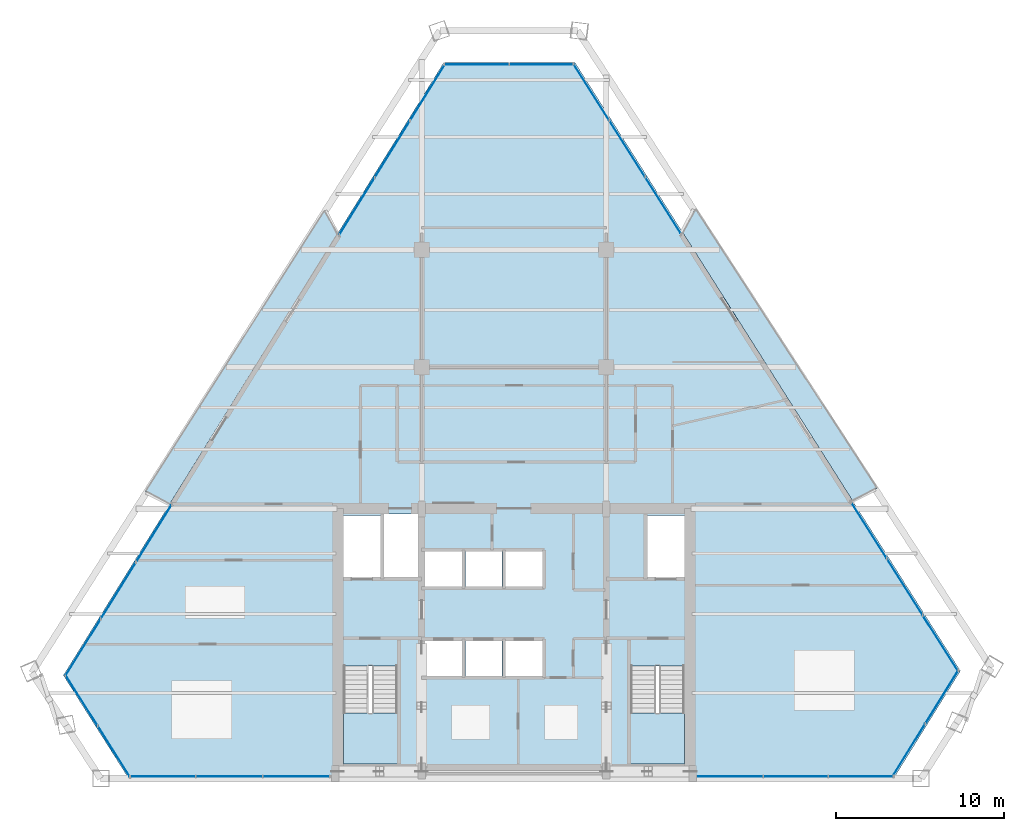
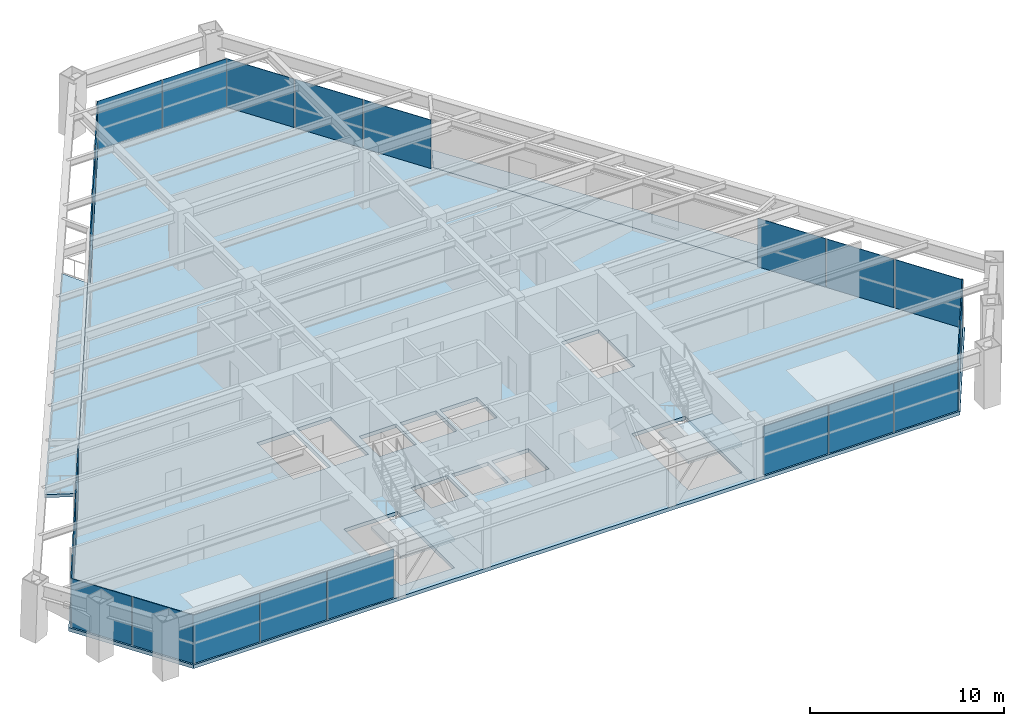
# One storey, part 10 of 15: 24 plates, 5 slabs, 11 elements without a shape of their own.
"""IFC4 building model written with IfcOpenShell, lengths in metres."""

from ifc_helpers import new_model, si_unit, direction, frame, origin, origin_2d, place, context, subcontext, project, spatial, polyline, rectangle, outline, extrude, source, transform, mapped, material, layer, layer_set, type_object, element, aggregate, save


model = new_model("IFC4")

# Units and contexts
model_context = context("Model", 3, precision=1e-05, world=origin(), true_north=direction((0.0, 1.0)))
body_context = subcontext(model_context, "Body", "Model", "MODEL_VIEW")
ifc_project = project(units=[si_unit("LENGTHUNIT", "METRE"), si_unit("AREAUNIT", "SQUARE_METRE"), si_unit("VOLUMEUNIT", "CUBIC_METRE"), si_unit("PLANEANGLEUNIT", "RADIAN"), si_unit("MASSUNIT", "GRAM", prefix="KILO")], contexts=[model_context])

# Site, building, storey
site_placement = place(None, origin())
site = spatial("IfcSite", under=ifc_project, at=site_placement, CompositionType="ELEMENT")
building_placement = place(site_placement, origin())
building = spatial("IfcBuilding", under=site, at=building_placement, Name="Varnakhor Terracotta Tower", CompositionType="ELEMENT")
storey_placement = place(building_placement, frame((0.0, 0.0, 185.800048828125)))
storey = spatial("IfcBuildingStorey", under=building, at=storey_placement, Name="L47", CompositionType="ELEMENT", Elevation=185.800048828125)

# Stair, slab
ifc_material_1 = material(Name="Concrete C40/50", Category="concrete")
stair_type = type_object("IfcStairType", Name="STR-CORE-OFFICE-1500", PredefinedType="HALF_TURN_STAIR", material=ifc_material_1)
stair_1_placement = place(storey_placement, origin())
stair_1 = element("IfcStair", 1, at=stair_1_placement, inside=storey, type_object=stair_type, Name="L47 Core Exit Stair ST-1", PredefinedType="HALF_TURN_STAIR")
ifc_layer_1 = layer(ifc_material_1, 0.179931640625, Name="Concrete C40/50")
ifc_layer_set_1 = layer_set([ifc_layer_1], Name="Concrete C40/50")
slab_type_1 = type_object("IfcSlabType", Name="SLB-LANDING-180", PredefinedType="LANDING", material=ifc_layer_set_1)
slab_1_placement = place(storey_placement, frame((0.0, 0.0, 1.64990234375)))
slab_1 = element("IfcSlab", 2, at=slab_1_placement, type_object=slab_type_1, Name="ST-1 landing 1", PredefinedType="LANDING", context=body_context, shape_type="SweptSolid", body=[
    extrude(outline(polyline([(-10.14990234375, 3.909912109375), (-10.14990234375, 0.85009765625), (-6.949951171875, 0.85009765625), (-6.949951171875, 3.909912109375), (-10.14990234375, 3.909912109375)])), origin(), (0.0, 0.0, 1.0), 0.199951171875),
])
aggregate(stair_1, [slab_1])

stair_2_placement = place(storey_placement, origin())
stair_2 = element("IfcStair", 3, at=stair_2_placement, inside=storey, type_object=stair_type, Name="L47 Core Exit Stair ST-2", PredefinedType="HALF_TURN_STAIR")
slab_2_placement = place(storey_placement, frame((0.0, 0.0, 1.64990234375)))
slab_2 = element("IfcSlab", 4, at=slab_2_placement, type_object=slab_type_1, Name="ST-2 landing 1", PredefinedType="LANDING", context=body_context, shape_type="SweptSolid", body=[
    extrude(outline(polyline([(6.949951171875, 3.909912109375), (6.949951171875, 0.85009765625), (10.14990234375, 0.85009765625), (10.14990234375, 3.909912109375), (6.949951171875, 3.909912109375)])), origin(), (0.0, 0.0, 1.0), 0.199951171875),
])
aggregate(stair_2, [slab_2])

# Slabs
ifc_layer_2 = layer(ifc_material_1, 0.195068359375, Name="Concrete C40/50")
ifc_layer_set_2 = layer_set([ifc_layer_2], Name="Concrete C40/50")
slab_type_2 = type_object("IfcSlabType", Name="SLB-LOGGIA-EXT-195", PredefinedType="FLOOR", material=ifc_layer_set_2)
slab_3_placement = place(storey_placement, frame((0.0, 0.0, -0.195068359375)))
element("IfcSlab", 5, at=slab_3_placement, inside=storey, type_object=slab_type_2, Name="L47 E Recessed Outdoor Loggia Slab", PredefinedType="FLOOR", context=body_context, shape_type="SweptSolid", body=[
    extrude(outline(polyline([(10.798095703125, 33.926513671875), (21.61669921875, 17.279541015625), (20.161865234375, 16.551513671875), (17.418212890625, 20.8828125), (10.06103515625, 32.496826171875), (10.798095703125, 33.926513671875)])), origin(), (0.0, 0.0, 1.0), 0.195068359375),
])
slab_4_placement = place(storey_placement, frame((0.0, 0.0, -0.195068359375)))
element("IfcSlab", 6, at=slab_4_placement, inside=storey, type_object=slab_type_2, Name="L47 W Recessed Outdoor Loggia Slab", PredefinedType="FLOOR", context=body_context, shape_type="SweptSolid", body=[
    extrude(outline(polyline([(-21.95556640625, 17.07958984375), (-11.262451171875, 33.8486328125), (-10.52197265625, 32.42236328125), (-20.491943359375, 16.35986328125), (-21.95556640625, 17.07958984375)])), origin(), (0.0, 0.0, 1.0), 0.195068359375),
])
ifc_layer_3 = layer(ifc_material_1, 0.22998046875, Name="Concrete C40/50")
ifc_layer_set_3 = layer_set([ifc_layer_3], Name="Concrete C40/50")
slab_type_3 = type_object("IfcSlabType", Name="SLB-OFF-230", PredefinedType="FLOOR", material=ifc_layer_set_3)
slab_5_placement = place(storey_placement, frame((0.0, 0.0, -0.22998046875)))
element("IfcSlab", 7, at=slab_5_placement, inside=storey, type_object=slab_type_3, Name="L47 Structural Floor Slab", PredefinedType="FLOOR", context=body_context, shape_type="SweptSolid", body=[
    extrude(outline(polyline([(-26.83642578125, 6.13818359375), (-4.177490234375, 42.643798828125), (3.63330078125, 42.643798828125), (26.589599609375, 6.404296875), (22.6142578125, 0.0), (-22.947998046875, 0.0), (-26.83642578125, 6.13818359375)]), holes=[polyline([(-6.949951171875, 0.85009765625), (-6.949951171875, 6.695068359375), (-10.14990234375, 6.695068359375), (-10.14990234375, 0.85009765625), (-6.949951171875, 0.85009765625)]), polyline([(-3.10009765625, 6.10009765625), (-3.10009765625, 8.199951171875), (-5.300048828125, 8.199951171875), (-5.300048828125, 6.10009765625), (-3.10009765625, 6.10009765625)]), polyline([(-0.719970703125, 6.10009765625), (-0.719970703125, 8.199951171875), (-2.8798828125, 8.199951171875), (-2.8798828125, 6.10009765625), (-0.719970703125, 6.10009765625)]), polyline([(-5.300048828125, 11.419921875), (-3.10009765625, 11.419921875), (-3.10009765625, 13.52001953125), (-5.300048828125, 13.52001953125), (-5.300048828125, 11.419921875)]), polyline([(-10.14990234375, 11.8798828125), (-7.949951171875, 11.8798828125), (-7.949951171875, 15.64990234375), (-10.14990234375, 15.64990234375), (-10.14990234375, 11.8798828125)]), polyline([(-5.699951171875, 11.8798828125), (-5.699951171875, 15.75), (-7.72998046875, 15.75), (-7.72998046875, 11.8798828125), (-5.699951171875, 11.8798828125)]), polyline([(6.949951171875, 0.85009765625), (10.14990234375, 0.85009765625), (10.14990234375, 6.695068359375), (6.949951171875, 6.695068359375), (6.949951171875, 0.85009765625)]), polyline([(-0.5, 6.10009765625), (1.699951171875, 6.10009765625), (1.699951171875, 8.199951171875), (-0.5, 8.199951171875), (-0.5, 6.10009765625)]), polyline([(-0.719970703125, 11.419921875), (-0.719970703125, 13.52001953125), (-2.8798828125, 13.52001953125), (-2.8798828125, 11.419921875), (-0.719970703125, 11.419921875)]), polyline([(-0.5, 11.419921875), (1.699951171875, 11.419921875), (1.699951171875, 13.52001953125), (-0.5, 13.52001953125), (-0.5, 11.419921875)]), polyline([(7.949951171875, 11.8798828125), (10.14990234375, 11.8798828125), (10.14990234375, 15.64990234375), (7.949951171875, 15.64990234375), (7.949951171875, 11.8798828125)])]), origin(), (0.0, 0.0, 1.0), 0.22998046875),
])

# Curtain wall, plates
ifc_material_2 = material(Name="Anodised Aluminium Curtain Wall System", Category="aluminium")
curtain_wall_type = type_object("IfcCurtainWallType", Name="CW-SYS-MID-OFFICE", PredefinedType="NOTDEFINED", material=ifc_material_2)
curtain_wall_1_placement = place(storey_placement, origin())
curtain_wall_1 = element("IfcCurtainWall", 8, at=curtain_wall_1_placement, inside=storey, type_object=curtain_wall_type, Name="L47 W Facet Curtain Wall 1", PredefinedType="NOTDEFINED")
ifc_material_3 = material(Name="Solar-Control Low-E Insulated Glass Panel", Category="glass")
ifc_layer_4 = layer(ifc_material_3, 0.035888671875, Name="Solar-Control Low-E Insulated Glass Panel")
ifc_layer_set_4 = layer_set([ifc_layer_4], Name="Solar-Control Low-E Insulated Glass Panel")
plate_type = type_object("IfcPlateType", Name="CWP-03", PredefinedType="CURTAIN_PANEL", material=ifc_layer_set_4)
shared_shape_1 = source(origin(), body_context, "Body", "SweptSolid", [
    extrude(rectangle(XDim=3.9501953125, YDim=0.035888671875, at=origin_2d()), origin(), (0.0, 0.0, 1.0), 3.050048828125),
])
plate_1_placement = place(storey_placement, frame((-25.66650390625, 7.795654296875, 0.0), z_axis=(0.0, 0.0, 1.0), x_axis=(0.527371068478, 0.849635072329, 0.0)))
plate_1 = element("IfcPlate", 9, at=plate_1_placement, type_object=plate_type, Name="L47 W Facet Curtain Wall 1 Glazed Panel 1", PredefinedType="CURTAIN_PANEL", context=body_context, shape_type="MappedRepresentation", body=[
    mapped(shared_shape_1, transform((0.0, 0.0, 0.0), scale=1.0)),
])
plate_2_placement = place(storey_placement, frame((-23.562255859375, 11.185791015625, 0.0), z_axis=(0.0, 0.0, 1.0), x_axis=(0.527371068478, 0.849635072329, 0.0)))
plate_2 = element("IfcPlate", 10, at=plate_2_placement, type_object=plate_type, Name="L47 W Facet Curtain Wall 1 Glazed Panel 2", PredefinedType="CURTAIN_PANEL", context=body_context, shape_type="MappedRepresentation", body=[
    mapped(shared_shape_1, transform((0.0, 0.0, 0.0), scale=1.0)),
])
plate_3_placement = place(storey_placement, frame((-21.4580078125, 14.575927734375, 0.0), z_axis=(0.0, 0.0, 1.0), x_axis=(0.527371068478, 0.849635072329, 0.0)))
plate_3 = element("IfcPlate", 11, at=plate_3_placement, type_object=plate_type, Name="L47 W Facet Curtain Wall 1 Glazed Panel 3", PredefinedType="CURTAIN_PANEL", context=body_context, shape_type="MappedRepresentation", body=[
    mapped(shared_shape_1, transform((0.0, 0.0, 0.0), scale=1.0)),
])
aggregate(curtain_wall_1, [plate_1, plate_2, plate_3])

curtain_wall_2_placement = place(storey_placement, origin())
curtain_wall_2 = element("IfcCurtainWall", 12, at=curtain_wall_2_placement, inside=storey, type_object=curtain_wall_type, Name="L47 W Facet Curtain Wall 2", PredefinedType="NOTDEFINED")
plate_4_placement = place(storey_placement, frame((-9.35205078125, 34.07958984375, 0.0), z_axis=(0.0, 0.0, 1.0), x_axis=(0.527371068478, 0.849635072329, 0.0)))
plate_4 = element("IfcPlate", 13, at=plate_4_placement, type_object=plate_type, Name="L47 W Facet Curtain Wall 2 Glazed Panel 1", PredefinedType="CURTAIN_PANEL", context=body_context, shape_type="MappedRepresentation", body=[
    mapped(shared_shape_1, transform((0.0, 0.0, 0.0), scale=1.0)),
])
plate_5_placement = place(storey_placement, frame((-7.247802734375, 37.4697265625, 0.0), z_axis=(0.0, 0.0, 1.0), x_axis=(0.527371068478, 0.849635072329, 0.0)))
plate_5 = element("IfcPlate", 14, at=plate_5_placement, type_object=plate_type, Name="L47 W Facet Curtain Wall 2 Glazed Panel 2", PredefinedType="CURTAIN_PANEL", context=body_context, shape_type="MappedRepresentation", body=[
    mapped(shared_shape_1, transform((0.0, 0.0, 0.0), scale=1.0)),
])
plate_6_placement = place(storey_placement, frame((-5.1435546875, 40.85986328125, 0.0), z_axis=(0.0, 0.0, 1.0), x_axis=(0.527371068478, 0.849635072329, 0.0)))
plate_6 = element("IfcPlate", 15, at=plate_6_placement, type_object=plate_type, Name="L47 W Facet Curtain Wall 2 Glazed Panel 3", PredefinedType="CURTAIN_PANEL", context=body_context, shape_type="MappedRepresentation", body=[
    mapped(shared_shape_1, transform((0.0, 0.0, 0.0), scale=1.0)),
])
aggregate(curtain_wall_2, [plate_4, plate_5, plate_6])

curtain_wall_3_placement = place(storey_placement, origin())
curtain_wall_3 = element("IfcCurtainWall", 16, at=curtain_wall_3_placement, inside=storey, type_object=curtain_wall_type, Name="L47 Facet Curtain Wall 2", PredefinedType="NOTDEFINED")
shared_shape_2 = source(origin(), body_context, "Body", "SweptSolid", [
    extrude(rectangle(XDim=3.83544921875, YDim=0.035888671875, at=origin_2d()), origin(), (0.0, 0.0, 1.0), 3.050048828125),
])
plate_7_placement = place(storey_placement, frame((-2.209716796875, 42.523681640625, 0.0), z_axis=(0.0, 0.0, 1.0), x_axis=(1.0, 0.0, 0.0)))
plate_7 = element("IfcPlate", 17, at=plate_7_placement, type_object=plate_type, Name="L47 Facet Curtain Wall 2 Glazed Panel 1", PredefinedType="CURTAIN_PANEL", context=body_context, shape_type="MappedRepresentation", body=[
    mapped(shared_shape_2, transform((0.0, 0.0, 0.0), scale=1.0)),
])
plate_8_placement = place(storey_placement, frame((1.66552734375, 42.523681640625, 0.0), z_axis=(0.0, 0.0, 1.0), x_axis=(1.0, 0.0, 0.0)))
plate_8 = element("IfcPlate", 18, at=plate_8_placement, type_object=plate_type, Name="L47 Facet Curtain Wall 2 Glazed Panel 2", PredefinedType="CURTAIN_PANEL", context=body_context, shape_type="MappedRepresentation", body=[
    mapped(shared_shape_2, transform((0.0, 0.0, 0.0), scale=1.0)),
])
aggregate(curtain_wall_3, [plate_7, plate_8])

curtain_wall_4_placement = place(storey_placement, origin())
curtain_wall_4 = element("IfcCurtainWall", 19, at=curtain_wall_4_placement, inside=storey, type_object=curtain_wall_type, Name="L47 E Facet Curtain Wall 1", PredefinedType="NOTDEFINED")
shared_shape_3 = source(origin(), body_context, "Body", "SweptSolid", [
    extrude(rectangle(XDim=3.94384765625, YDim=0.035888671875, at=origin_2d()), origin(), (0.0, 0.0, 1.0), 3.050048828125),
])
plate_9_placement = place(storey_placement, frame((4.614013671875, 40.87158203125, 0.0), z_axis=(0.0, 0.0, 1.0), x_axis=(0.535134008571, -0.844767182643, 0.0)))
plate_9 = element("IfcPlate", 20, at=plate_9_placement, type_object=plate_type, Name="L47 E Facet Curtain Wall 1 Glazed Panel 1", PredefinedType="CURTAIN_PANEL", context=body_context, shape_type="MappedRepresentation", body=[
    mapped(shared_shape_3, transform((0.0, 0.0, 0.0), scale=1.0)),
])
plate_10_placement = place(storey_placement, frame((6.745849609375, 37.506103515625, 0.0), z_axis=(0.0, 0.0, 1.0), x_axis=(0.535134008571, -0.844767182643, 0.0)))
plate_10 = element("IfcPlate", 21, at=plate_10_placement, type_object=plate_type, Name="L47 E Facet Curtain Wall 1 Glazed Panel 2", PredefinedType="CURTAIN_PANEL", context=body_context, shape_type="MappedRepresentation", body=[
    mapped(shared_shape_3, transform((0.0, 0.0, 0.0), scale=1.0)),
])
plate_11_placement = place(storey_placement, frame((8.877685546875, 34.140625, 0.0), z_axis=(0.0, 0.0, 1.0), x_axis=(0.535134008571, -0.844767182643, 0.0)))
plate_11 = element("IfcPlate", 22, at=plate_11_placement, type_object=plate_type, Name="L47 E Facet Curtain Wall 1 Glazed Panel 3", PredefinedType="CURTAIN_PANEL", context=body_context, shape_type="MappedRepresentation", body=[
    mapped(shared_shape_3, transform((0.0, 0.0, 0.0), scale=1.0)),
])
aggregate(curtain_wall_4, [plate_9, plate_10, plate_11])

curtain_wall_5_placement = place(storey_placement, origin())
curtain_wall_5 = element("IfcCurtainWall", 23, at=curtain_wall_5_placement, inside=storey, type_object=curtain_wall_type, Name="L47 E Facet Curtain Wall 2", PredefinedType="NOTDEFINED")
plate_12_placement = place(storey_placement, frame((21.142333984375, 14.779052734375, 0.0), z_axis=(0.0, 0.0, 1.0), x_axis=(0.535134008571, -0.844767182643, 0.0)))
plate_12 = element("IfcPlate", 24, at=plate_12_placement, type_object=plate_type, Name="L47 E Facet Curtain Wall 2 Glazed Panel 1", PredefinedType="CURTAIN_PANEL", context=body_context, shape_type="MappedRepresentation", body=[
    mapped(shared_shape_3, transform((0.0, 0.0, 0.0), scale=1.0)),
])
plate_13_placement = place(storey_placement, frame((23.2744140625, 11.413818359375, 0.0), z_axis=(0.0, 0.0, 1.0), x_axis=(0.535134008571, -0.844767182643, 0.0)))
plate_13 = element("IfcPlate", 25, at=plate_13_placement, type_object=plate_type, Name="L47 E Facet Curtain Wall 2 Glazed Panel 2", PredefinedType="CURTAIN_PANEL", context=body_context, shape_type="MappedRepresentation", body=[
    mapped(shared_shape_3, transform((0.0, 0.0, 0.0), scale=1.0)),
])
plate_14_placement = place(storey_placement, frame((25.40625, 8.048095703125, 0.0), z_axis=(0.0, 0.0, 1.0), x_axis=(0.535134008571, -0.844767182643, 0.0)))
plate_14 = element("IfcPlate", 26, at=plate_14_placement, type_object=plate_type, Name="L47 E Facet Curtain Wall 2 Glazed Panel 3", PredefinedType="CURTAIN_PANEL", context=body_context, shape_type="MappedRepresentation", body=[
    mapped(shared_shape_3, transform((0.0, 0.0, 0.0), scale=1.0)),
])
aggregate(curtain_wall_5, [plate_12, plate_13, plate_14])

curtain_wall_6_placement = place(storey_placement, origin())
curtain_wall_6 = element("IfcCurtainWall", 27, at=curtain_wall_6_placement, inside=storey, type_object=curtain_wall_type, Name="L47 Facet Curtain Wall 4", PredefinedType="NOTDEFINED")
shared_shape_4 = source(origin(), body_context, "Body", "SweptSolid", [
    extrude(rectangle(XDim=3.698974609375, YDim=0.035888671875, at=origin_2d()), origin(), (0.0, 0.0, 1.0), 3.050048828125),
])
plate_15_placement = place(storey_placement, frame((25.48583984375, 4.853759765625, 0.0), z_axis=(0.0, 0.0, 1.0), x_axis=(-0.527371068478, -0.849635072329, 0.0)))
plate_15 = element("IfcPlate", 28, at=plate_15_placement, type_object=plate_type, Name="L47 Facet Curtain Wall 4 Glazed Panel 1", PredefinedType="CURTAIN_PANEL", context=body_context, shape_type="MappedRepresentation", body=[
    mapped(shared_shape_4, transform((0.0, 0.0, 0.0), scale=1.0)),
])
plate_16_placement = place(storey_placement, frame((23.513916015625, 1.677001953125, 0.0), z_axis=(0.0, 0.0, 1.0), x_axis=(-0.527371068478, -0.849635072329, 0.0)))
plate_16 = element("IfcPlate", 29, at=plate_16_placement, type_object=plate_type, Name="L47 Facet Curtain Wall 4 Glazed Panel 2", PredefinedType="CURTAIN_PANEL", context=body_context, shape_type="MappedRepresentation", body=[
    mapped(shared_shape_4, transform((0.0, 0.0, 0.0), scale=1.0)),
])
aggregate(curtain_wall_6, [plate_15, plate_16])

curtain_wall_7_placement = place(storey_placement, origin())
curtain_wall_7 = element("IfcCurtainWall", 30, at=curtain_wall_7_placement, inside=storey, type_object=curtain_wall_type, Name="L47 South Wing Curtain Wall SSE", PredefinedType="NOTDEFINED")
shared_shape_5 = source(origin(), body_context, "Body", "SweptSolid", [
    extrude(rectangle(XDim=3.838134765625, YDim=0.035888671875, at=origin_2d()), origin(), (0.0, 0.0, 1.0), 3.050048828125),
])
plate_17_placement = place(storey_placement, frame((20.665283203125, 0.1201171875, 0.0), z_axis=(0.0, 0.0, 1.0), x_axis=(-1.0, 0.0, 0.0)))
plate_17 = element("IfcPlate", 31, at=plate_17_placement, type_object=plate_type, Name="L47 South Wing Curtain Wall SSE Glazed Panel 1", PredefinedType="CURTAIN_PANEL", context=body_context, shape_type="MappedRepresentation", body=[
    mapped(shared_shape_5, transform((0.0, 0.0, 0.0), scale=1.0)),
])
plate_18_placement = place(storey_placement, frame((16.787109375, 0.1201171875, 0.0), z_axis=(0.0, 0.0, 1.0), x_axis=(-1.0, 0.0, 0.0)))
plate_18 = element("IfcPlate", 32, at=plate_18_placement, type_object=plate_type, Name="L47 South Wing Curtain Wall SSE Glazed Panel 2", PredefinedType="CURTAIN_PANEL", context=body_context, shape_type="MappedRepresentation", body=[
    mapped(shared_shape_5, transform((0.0, 0.0, 0.0), scale=1.0)),
])
plate_19_placement = place(storey_placement, frame((12.9091796875, 0.1201171875, 0.0), z_axis=(0.0, 0.0, 1.0), x_axis=(-1.0, 0.0, 0.0)))
plate_19 = element("IfcPlate", 33, at=plate_19_placement, type_object=plate_type, Name="L47 South Wing Curtain Wall SSE Glazed Panel 3", PredefinedType="CURTAIN_PANEL", context=body_context, shape_type="MappedRepresentation", body=[
    mapped(shared_shape_5, transform((0.0, 0.0, 0.0), scale=1.0)),
])
aggregate(curtain_wall_7, [plate_17, plate_18, plate_19])

curtain_wall_8_placement = place(storey_placement, origin())
curtain_wall_8 = element("IfcCurtainWall", 34, at=curtain_wall_8_placement, inside=storey, type_object=curtain_wall_type, Name="L47 South Wing Curtain Wall SSW", PredefinedType="NOTDEFINED")
shared_shape_6 = source(origin(), body_context, "Body", "SweptSolid", [
    extrude(rectangle(XDim=3.949462890625, YDim=0.035888671875, at=origin_2d()), origin(), (0.0, 0.0, 1.0), 3.050048828125),
])
plate_20_placement = place(storey_placement, frame((-12.964599609375, 0.1201171875, 0.0), z_axis=(0.0, 0.0, 1.0), x_axis=(-1.0, 0.0, 0.0)))
plate_20 = element("IfcPlate", 35, at=plate_20_placement, type_object=plate_type, Name="L47 South Wing Curtain Wall SSW Glazed Panel 1", PredefinedType="CURTAIN_PANEL", context=body_context, shape_type="MappedRepresentation", body=[
    mapped(shared_shape_6, transform((0.0, 0.0, 0.0), scale=1.0)),
])
plate_21_placement = place(storey_placement, frame((-20.943359375, 0.1201171875, 0.0), z_axis=(0.0, 0.0, 1.0), x_axis=(-1.0, 0.0, 0.0)))
plate_21 = element("IfcPlate", 36, at=plate_21_placement, type_object=plate_type, Name="L47 South Wing Curtain Wall SSW Glazed Panel 3", PredefinedType="CURTAIN_PANEL", context=body_context, shape_type="MappedRepresentation", body=[
    mapped(shared_shape_6, transform((0.0, 0.0, 0.0), scale=1.0)),
])
shared_shape_7 = source(origin(), body_context, "Body", "SweptSolid", [
    extrude(rectangle(XDim=3.94921875, YDim=0.035888671875, at=origin_2d()), origin(), (0.0, 0.0, 1.0), 3.050048828125),
])
plate_22_placement = place(storey_placement, frame((-16.9541015625, 0.1201171875, 0.0), z_axis=(0.0, 0.0, 1.0), x_axis=(-1.0, 0.0, 0.0)))
plate_22 = element("IfcPlate", 37, at=plate_22_placement, type_object=plate_type, Name="L47 South Wing Curtain Wall SSW Glazed Panel 2", PredefinedType="CURTAIN_PANEL", context=body_context, shape_type="MappedRepresentation", body=[
    mapped(shared_shape_7, transform((0.0, 0.0, 0.0), scale=1.0)),
])
aggregate(curtain_wall_8, [plate_20, plate_22, plate_21])

curtain_wall_9_placement = place(storey_placement, origin())
curtain_wall_9 = element("IfcCurtainWall", 38, at=curtain_wall_9_placement, inside=storey, type_object=curtain_wall_type, Name="L47 Facet Curtain Wall 6", PredefinedType="NOTDEFINED")
shared_shape_8 = source(origin(), body_context, "Body", "SweptSolid", [
    extrude(rectangle(XDim=3.56298828125, YDim=0.035888671875, at=origin_2d()), origin(), (0.0, 0.0, 1.0), 3.050048828125),
])
plate_23_placement = place(storey_placement, frame((-23.826904296875, 1.611572265625, 0.0), z_axis=(0.0, 0.0, 1.0), x_axis=(-0.535119264521, 0.844776522365, 0.0)))
plate_23 = element("IfcPlate", 39, at=plate_23_placement, type_object=plate_type, Name="L47 Facet Curtain Wall 6 Glazed Panel 1", PredefinedType="CURTAIN_PANEL", context=body_context, shape_type="MappedRepresentation", body=[
    mapped(shared_shape_8, transform((0.0, 0.0, 0.0), scale=1.0)),
])
plate_24_placement = place(storey_placement, frame((-25.7548828125, 4.6552734375, 0.0), z_axis=(0.0, 0.0, 1.0), x_axis=(-0.535119264521, 0.844776522365, 0.0)))
plate_24 = element("IfcPlate", 40, at=plate_24_placement, type_object=plate_type, Name="L47 Facet Curtain Wall 6 Glazed Panel 2", PredefinedType="CURTAIN_PANEL", context=body_context, shape_type="MappedRepresentation", body=[
    mapped(shared_shape_8, transform((0.0, 0.0, 0.0), scale=1.0)),
])
aggregate(curtain_wall_9, [plate_23, plate_24])

save(model, "model.ifc")
